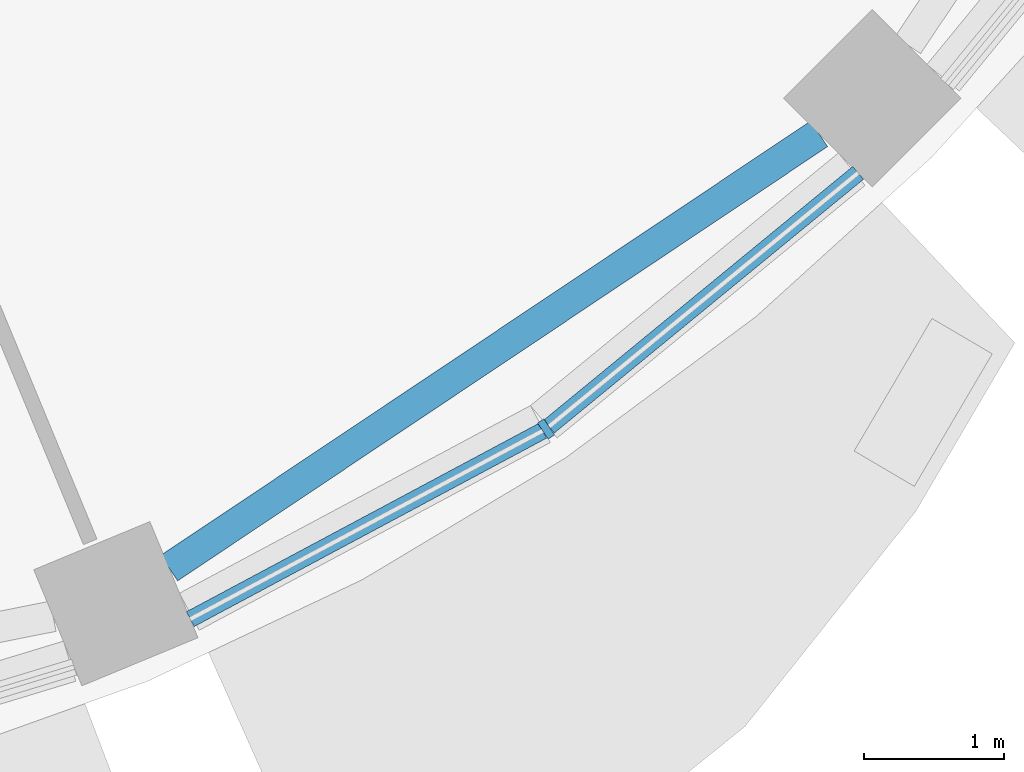
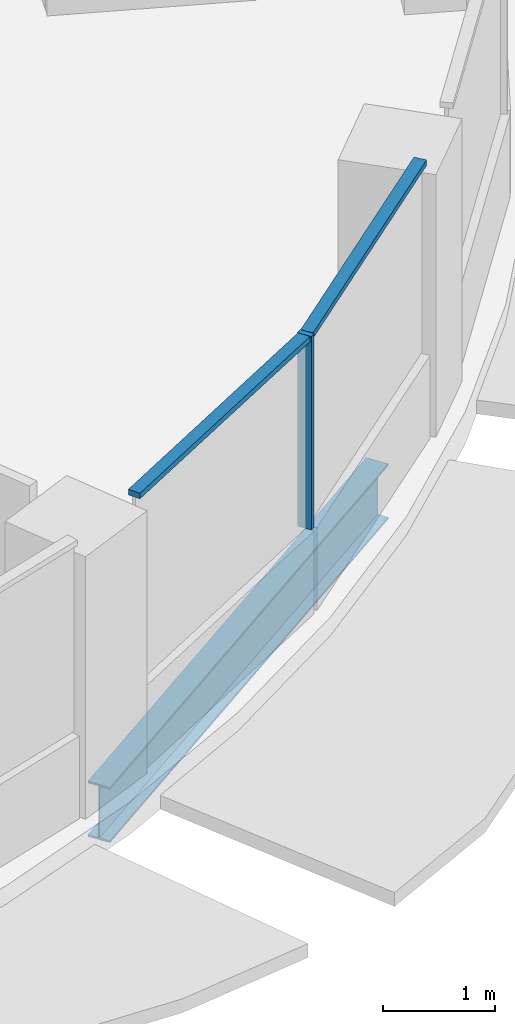
# One storey, part 3 of 15: 3 members, 1 beam, 1 element without a shape of its own.
"""IFC4 building model written with IfcOpenShell, lengths in metres."""

from ifc_helpers import new_model, si_unit, direction, frame, origin, origin_2d, place, context, subcontext, project, spatial, rectangle, i_section, extrude, material, material_profile, profile_set, type_object, element, aggregate, save


model = new_model("IFC4")

# Units and contexts
model_context = context("Model", 3, precision=1e-05, world=origin(), true_north=direction((0.0, 1.0)))
body_context = subcontext(model_context, "Body", "Model", "MODEL_VIEW")
ifc_project = project(units=[si_unit("LENGTHUNIT", "METRE"), si_unit("AREAUNIT", "SQUARE_METRE"), si_unit("VOLUMEUNIT", "CUBIC_METRE"), si_unit("PLANEANGLEUNIT", "RADIAN"), si_unit("MASSUNIT", "GRAM", prefix="KILO")], contexts=[model_context])

# Site, building, storey
site_placement = place(None, origin())
site = spatial("IfcSite", under=ifc_project, at=site_placement, CompositionType="ELEMENT")
building_placement = place(site_placement, origin())
building = spatial("IfcBuilding", under=site, at=building_placement, Name="Polderwave Tower", CompositionType="ELEMENT")
storey_placement = place(building_placement, frame((0.0, 0.0, 201.050048828125)))
storey = spatial("IfcBuildingStorey", under=building, at=storey_placement, Name="L54", CompositionType="ELEMENT", Elevation=201.050048828125)

# Curtain wall, members
ifc_material_1 = material(Name="Aluminium 6063-T6 and glass", Category="aluminium")
curtain_wall_type = type_object("IfcCurtainWallType", Name="Office ribbon glazing wall", PredefinedType="NOTDEFINED", material=ifc_material_1)
curtain_wall_placement = place(storey_placement, origin())
curtain_wall = element("IfcCurtainWall", 1, at=curtain_wall_placement, inside=storey, type_object=curtain_wall_type, Name="CW3 L54 13", PredefinedType="NOTDEFINED")
ifc_material_2 = material(Name="Aluminium 6063-T6", Category="aluminium")
ifc_material_profile_1 = material_profile(ifc_material_2, rectangle(XDim=0.139892578125, YDim=0.054931640625, at=origin_2d()), Name="AL 55x140")
ifc_profile_set_1 = profile_set([ifc_material_profile_1], Name="Aluminium 6063-T6")
member_type_1 = type_object("IfcMemberType", Name="Office ribbon glazing mullion 55x140", PredefinedType="MULLION", material=ifc_profile_set_1)
member_1_placement = place(storey_placement, frame((9.471923828125, -14.177001953125, 0.89990234375), z_axis=(0.0, 0.0, 1.0), x_axis=(-0.555554269847, 0.831480278332, 0.0)))
member_1 = element("IfcMember", 2, at=member_1_placement, type_object=member_type_1, Name="CW3 mullion 1", PredefinedType="MULLION", context=body_context, shape_type="SweptSolid", body=[
    extrude(rectangle(XDim=0.139892578125, YDim=0.054931640625, at=origin_2d()), origin(), (0.0, 0.0, 1.0), 2.10009765625),
])
ifc_material_profile_2 = material_profile(ifc_material_2, rectangle(XDim=0.1201171875, YDim=0.06005859375, at=origin_2d()), Name="AL 60x120")
ifc_profile_set_2 = profile_set([ifc_material_profile_2], Name="Aluminium 6063-T6")
member_type_2 = type_object("IfcMemberType", Name="Office ribbon glazing transom 60x120", PredefinedType="USERDEFINED", material=ifc_profile_set_2)
member_2_placement = place(storey_placement, frame((6.924072265625, -15.5390625, 2.969970703125), z_axis=(0.881894364311, 0.471447059803, 0.0), x_axis=(-0.471447059803, 0.881894364311, 0.0)))
member_2 = element("IfcMember", 3, at=member_2_placement, type_object=member_type_2, Name="CW3 transom 1", ObjectType="TRANSOM", PredefinedType="USERDEFINED", context=body_context, shape_type="SweptSolid", body=[
    extrude(rectangle(XDim=0.1201171875, YDim=0.06005859375, at=origin_2d()), origin(), (0.0, 0.0, 1.0), 2.861572265625),
])
member_3_placement = place(storey_placement, frame((9.493408203125, -14.15966796875, 2.969970703125), z_axis=(0.773014408313, 0.634388465012, 0.0), x_axis=(-0.634388465012, 0.773014408313, 0.0)))
member_3 = element("IfcMember", 4, at=member_3_placement, type_object=member_type_2, Name="CW3 transom 2", ObjectType="TRANSOM", PredefinedType="USERDEFINED", context=body_context, shape_type="SweptSolid", body=[
    extrude(rectangle(XDim=0.1201171875, YDim=0.06005859375, at=origin_2d()), origin(), (0.0, 0.0, 1.0), 2.863525390625),
])
aggregate(curtain_wall, [member_1, member_2, member_3])

# Beam
ifc_material_3 = material(Name="Steel S355", Category="steel")
ifc_material_profile_3 = material_profile(ifc_material_3, i_section(OverallWidth=0.219970703125, OverallDepth=0.60009765625, WebThickness=0.011962890625, FlangeThickness=0.01904296875, at=origin_2d()), Name="IPE 600")
ifc_profile_set_3 = profile_set([ifc_material_profile_3], Name="Steel S355")
beam_type = type_object("IfcBeamType", Name="RING BEAM IPE 600", PredefinedType="BEAM", material=ifc_profile_set_3)
beam_placement = place(storey_placement, frame((6.772216796875, -15.173828125, -0.650146484375), z_axis=(0.831472877453, 0.555565346345, 0.0), x_axis=(-0.555565346345, 0.831472877453, 0.0)))
element("IfcBeam", 5, at=beam_placement, inside=storey, type_object=beam_type, Name="ST-RB-L54-13", PredefinedType="BEAM", context=body_context, shape_type="SweptSolid", body=[
    extrude(i_section(OverallWidth=0.219970703125, OverallDepth=0.60009765625, WebThickness=0.011962890625, FlangeThickness=0.01904296875, at=origin_2d()), origin(), (0.0, 0.0, 1.0), 5.5986328125),
])

save(model, "model.ifc")
